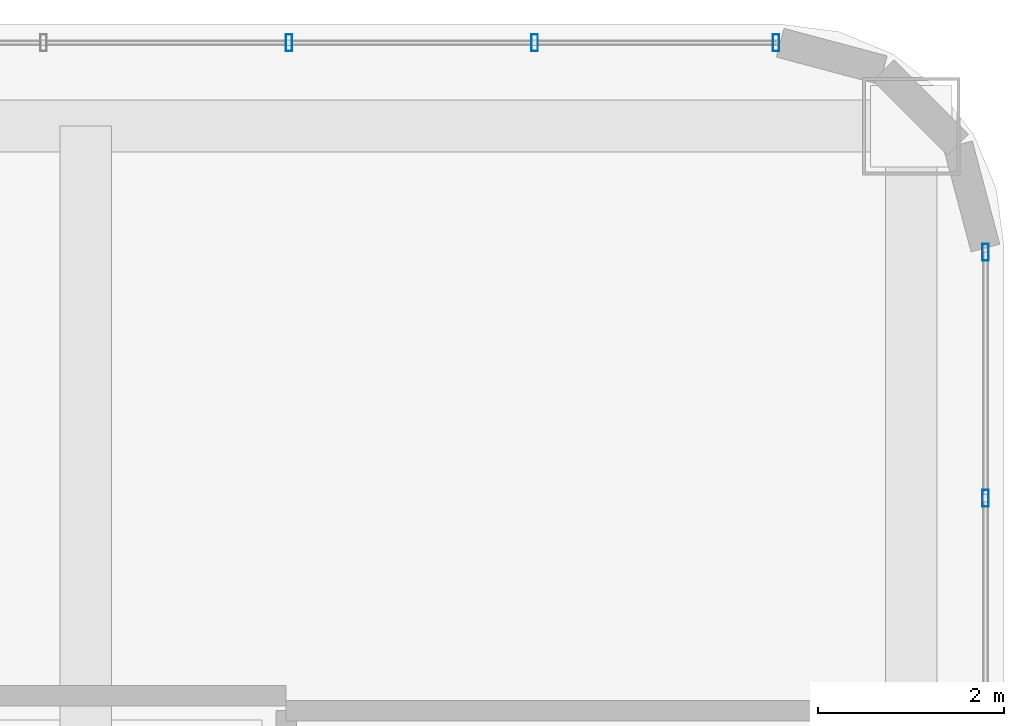
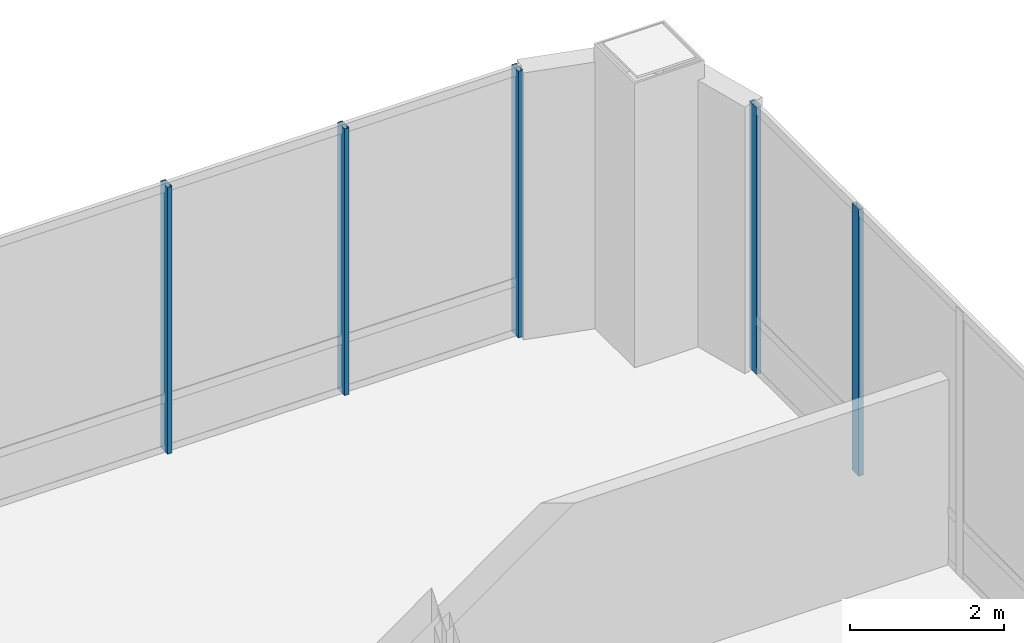
# One storey, part 24 of 33: 5 members, 2 elements without a shape of their own.
"""IFC4 building model written with IfcOpenShell, lengths in metres."""

from ifc_helpers import new_model, si_unit, direction, frame, origin, origin_2d, place, context, subcontext, project, spatial, hollow_rectangle, extrude, material, material_profile, profile_set, type_object, element, aggregate, save


model = new_model("IFC4")

# Units and contexts
model_context = context("Model", 3, precision=1e-05, world=origin(), true_north=direction((0.0, 1.0)))
body_context = subcontext(model_context, "Body", "Model", "MODEL_VIEW")
ifc_project = project(units=[si_unit("LENGTHUNIT", "METRE"), si_unit("AREAUNIT", "SQUARE_METRE"), si_unit("VOLUMEUNIT", "CUBIC_METRE"), si_unit("PLANEANGLEUNIT", "RADIAN"), si_unit("MASSUNIT", "GRAM", prefix="KILO")], contexts=[model_context])

# Site, building, storey
site_placement = place(None, origin())
site = spatial("IfcSite", under=ifc_project, at=site_placement, CompositionType="ELEMENT")
building_placement = place(site_placement, origin())
building = spatial("IfcBuilding", under=site, at=building_placement, Name="Punatoya Terracotta Tower", CompositionType="ELEMENT")
storey_placement = place(building_placement, frame((0.0, 0.0, 348.300048828125)))
storey = spatial("IfcBuildingStorey", under=building, at=storey_placement, Name="L82", CompositionType="ELEMENT", Elevation=348.300048828125)

# Curtain wall, members
ifc_material_1 = material(Name="Aluminium 6063-T6 + Double Low-E Glass", Category="aluminium")
curtain_wall_type = type_object("IfcCurtainWallType", Name="CW-CRN", PredefinedType="NOTDEFINED", material=ifc_material_1)
curtain_wall_1_placement = place(storey_placement, origin())
curtain_wall_1 = element("IfcCurtainWall", 1, at=curtain_wall_1_placement, inside=storey, type_object=curtain_wall_type, Name="L82 Curtain Wall CW-L82-E05-1", PredefinedType="NOTDEFINED")
ifc_material_2 = material(Name="Aluminium 6063-T6", Category="aluminium")
ifc_material_profile = material_profile(ifc_material_2, hollow_rectangle(XDim=0.070068359375, YDim=0.179931640625, WallThickness=0.00390625, at=origin_2d()))
ifc_profile_set = profile_set([ifc_material_profile], Name="Aluminium 6063-T6")
member_type = type_object("IfcMemberType", Name="CW-MUL-M3", PredefinedType="MULLION", material=ifc_profile_set)
member_1_placement = place(storey_placement, frame((19.89990234375, 13.489013671875, 0.0), z_axis=(0.0, 0.0, 1.0), x_axis=(1.0, 0.0, 0.0)))
member_1 = element("IfcMember", 2, at=member_1_placement, type_object=member_type, Name="CW-L82-E05-1 Mullion 11", PredefinedType="MULLION", context=body_context, shape_type="SweptSolid", body=[
    extrude(hollow_rectangle(XDim=0.070068359375, YDim=0.179931640625, WallThickness=0.00390625, at=origin_2d()), origin(), (0.0, 0.0, 1.0), 4.219970703125),
])
member_2_placement = place(storey_placement, frame((19.89990234375, 16.141845703125, 0.0), z_axis=(0.0, 0.0, 1.0), x_axis=(1.0, 0.0, 0.0)))
member_2 = element("IfcMember", 3, at=member_2_placement, type_object=member_type, Name="CW-L82-E05-1 Mullion 12", PredefinedType="MULLION", context=body_context, shape_type="SweptSolid", body=[
    extrude(hollow_rectangle(XDim=0.070068359375, YDim=0.179931640625, WallThickness=0.00390625, at=origin_2d()), origin(), (0.0, 0.0, 1.0), 4.219970703125),
])
aggregate(curtain_wall_1, [member_1, member_2])

curtain_wall_2_placement = place(storey_placement, origin())
curtain_wall_2 = element("IfcCurtainWall", 4, at=curtain_wall_2_placement, inside=storey, type_object=curtain_wall_type, Name="L82 Curtain Wall CW-L82-N09-1", PredefinedType="NOTDEFINED")
member_3_placement = place(storey_placement, frame((17.641845703125, 18.39990234375, 0.0), z_axis=(0.0, 0.0, 1.0), x_axis=(1.0, 0.0, 0.0)))
member_3 = element("IfcMember", 5, at=member_3_placement, type_object=member_type, Name="CW-L82-N09-1 Mullion 00", PredefinedType="MULLION", context=body_context, shape_type="SweptSolid", body=[
    extrude(hollow_rectangle(XDim=0.070068359375, YDim=0.179931640625, WallThickness=0.00390625, at=origin_2d()), origin(), (0.0, 0.0, 1.0), 4.219970703125),
])
member_4_placement = place(storey_placement, frame((15.03955078125, 18.39990234375, 0.0), z_axis=(0.0, 0.0, 1.0), x_axis=(1.0, 0.0, 0.0)))
member_4 = element("IfcMember", 6, at=member_4_placement, type_object=member_type, Name="CW-L82-N09-1 Mullion 01", PredefinedType="MULLION", context=body_context, shape_type="SweptSolid", body=[
    extrude(hollow_rectangle(XDim=0.070068359375, YDim=0.179931640625, WallThickness=0.00390625, at=origin_2d()), origin(), (0.0, 0.0, 1.0), 4.219970703125),
])
member_5_placement = place(storey_placement, frame((12.39208984375, 18.39990234375, 0.0), z_axis=(0.0, 0.0, 1.0), x_axis=(1.0, 0.0, 0.0)))
member_5 = element("IfcMember", 7, at=member_5_placement, type_object=member_type, Name="CW-L82-N09-1 Mullion 02", PredefinedType="MULLION", context=body_context, shape_type="SweptSolid", body=[
    extrude(hollow_rectangle(XDim=0.070068359375, YDim=0.179931640625, WallThickness=0.00390625, at=origin_2d()), origin(), (0.0, 0.0, 1.0), 4.219970703125),
])
aggregate(curtain_wall_2, [member_3, member_4, member_5])

save(model, "model.ifc")
